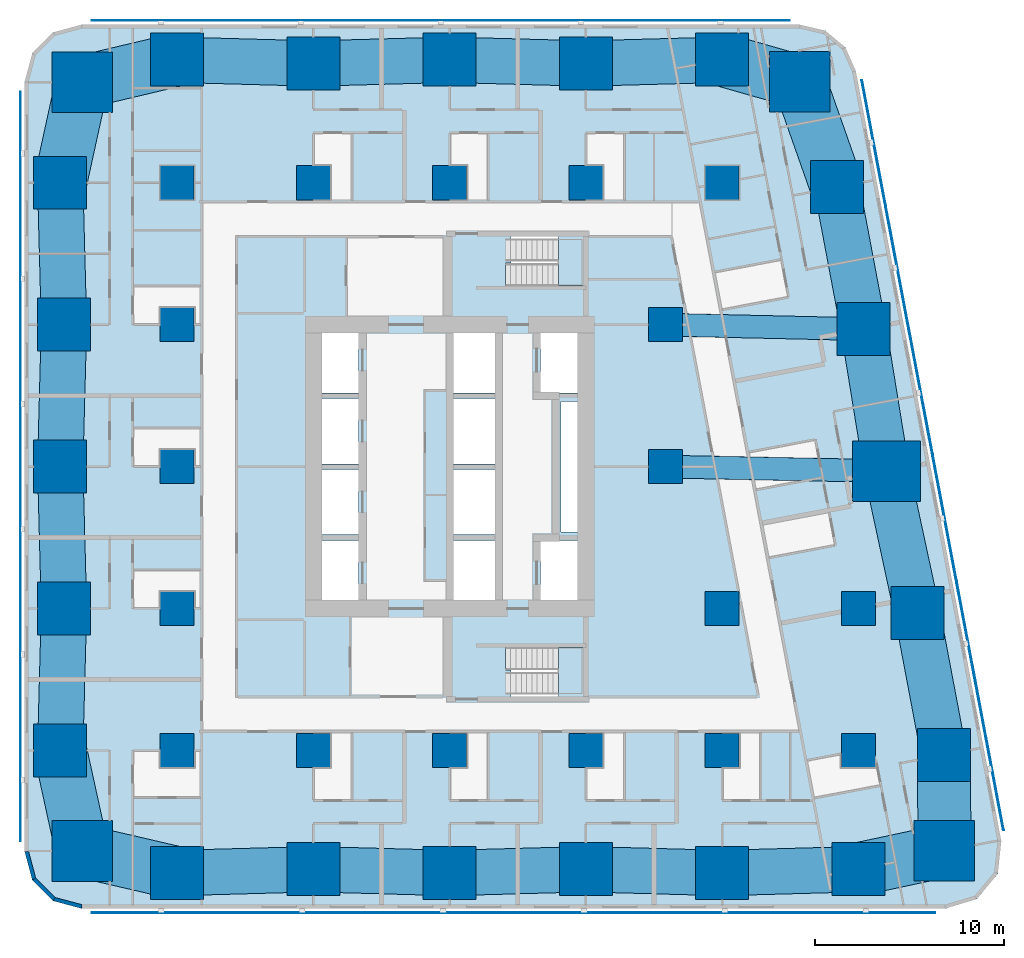
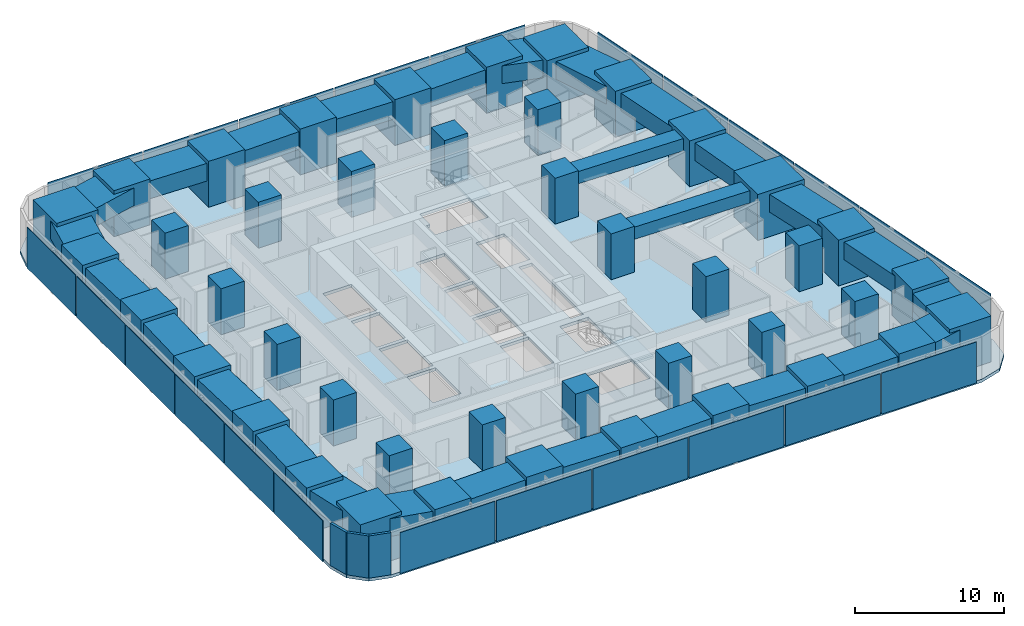
# One storey, part 1 of 15: 43 columns, 27 beams, 23 plates, 3 slabs, 3 walls, 2 elements without a shape of their own.
"""IFC4 building model written with IfcOpenShell, lengths in metres."""

from ifc_helpers import new_model, si_unit, direction, frame, frame_2d, origin, origin_2d, place, context, subcontext, project, spatial, polyline, rectangle, outline, extrude, material, layer, layer_set, material_profile, profile_set, type_object, element, aggregate, save


model = new_model("IFC4")

# Units and contexts
model_context = context("Model", 3, precision=1e-05, world=origin(), true_north=direction((0.0, 1.0)))
body_context = subcontext(model_context, "Body", "Model", "MODEL_VIEW")
ifc_project = project(units=[si_unit("LENGTHUNIT", "METRE"), si_unit("AREAUNIT", "SQUARE_METRE"), si_unit("VOLUMEUNIT", "CUBIC_METRE"), si_unit("PLANEANGLEUNIT", "RADIAN"), si_unit("MASSUNIT", "GRAM", prefix="KILO")], contexts=[model_context])

# Site, building, storey
site_placement = place(None, origin())
site = spatial("IfcSite", under=ifc_project, at=site_placement, CompositionType="ELEMENT")
building_placement = place(site_placement, origin())
building = spatial("IfcBuilding", under=site, at=building_placement, Name="Sheger Commons Tower", CompositionType="ELEMENT")
storey_placement = place(building_placement, frame((0.0, 0.0, 68.75)))
storey = spatial("IfcBuildingStorey", under=building, at=storey_placement, Name="L17", CompositionType="ELEMENT", Elevation=68.75)

# Columns
ifc_material_1 = material(Name="Concrete C50/60", Category="concrete")
ifc_material_profile_1 = material_profile(ifc_material_1, rectangle(XDim=3.60009765625, YDim=3.199951171875, at=origin_2d()), Name="RC 3600x3200")
ifc_profile_set_1 = profile_set([ifc_material_profile_1], Name="Concrete C50/60")
column_type_1 = type_object("IfcColumnType", Name="COLUMN PIER RC 3600x3200", PredefinedType="COLUMN", material=ifc_profile_set_1)
column_placement = place(storey_placement, frame((44.697021484375, 22.262939453125, 0.0), z_axis=(0.0, 0.0, 1.0), x_axis=(1.0, 0.0, 0.0)))
element("IfcColumn", 1, at=column_placement, inside=storey, type_object=column_type_1, Name="Pier 7/D+E/D L17", PredefinedType="COLUMN", context=body_context, shape_type="SweptSolid", body=[
    extrude(rectangle(XDim=3.60009765625, YDim=3.199951171875, at=origin_2d()), origin(), (0.0, 0.0, 1.0), 3.75),
])
ifc_material_2 = material(Name="Concrete C50/60", Category="concrete")
ifc_material_profile_2 = material_profile(ifc_material_2, rectangle(XDim=1.800048828125, YDim=1.800048828125, at=origin_2d()), Name="RC 1800x1800")
ifc_profile_set_2 = profile_set([ifc_material_profile_2], Name="Concrete C50/60")
column_type_2 = type_object("IfcColumnType", Name="COLUMN RC 1800x1800", PredefinedType="COLUMN", material=ifc_profile_set_2)
for number, where, z_axis, x_axis, name in (
    (2, (7.199951171875, 7.5, 0.0), (0.0, 0.0, 1.0), (1.0, 0.0, 0.0), "Column 2/B L17"),
    (3, (14.39990234375, 7.5, 0.0), (0.0, 0.0, 1.0), (1.0, 0.0, 0.0), "Column 3/B L17"),
    (4, (21.60009765625, 7.5, 0.0), (0.0, 0.0, 1.0), (1.0, 0.0, 0.0), "Column 4/B L17"),
    (5, (28.800048828125, 7.5, 0.0), (0.0, 0.0, 1.0), (1.0, 0.0, 0.0), "Column 5/B L17"),
    (6, (36.0, 7.5, 0.0), (0.0, 0.0, 1.0), (1.0, 0.0, 0.0), "Column 6/B L17"),
    (7, (43.199951171875, 7.5, 0.0), (0.0, 0.0, 1.0), (1.0, 0.0, 0.0), "Column 7/B L17"),
    (8, (7.199951171875, 15.0, 0.0), (0.0, 0.0, 1.0), (1.0, 0.0, 0.0), "Column 2/C L17"),
    (9, (36.0, 15.0, 0.0), (0.0, 0.0, 1.0), (1.0, 0.0, 0.0), "Column 6/C L17"),
    (10, (43.199951171875, 15.0, 0.0), (0.0, 0.0, 1.0), (1.0, 0.0, 0.0), "Column 7/C L17"),
    (11, (7.199951171875, 22.5, 0.0), (0.0, 0.0, 1.0), (1.0, 0.0, 0.0), "Column 2/D L17"),
    (12, (33.0, 22.5, 0.0), (0.0, 0.0, 1.0), (1.0, 0.0, 0.0), "Column 6-3000/D L17"),
    (13, (7.199951171875, 30.0, 0.0), (0.0, 0.0, 1.0), (1.0, 0.0, 0.0), "Column 2/E L17"),
    (14, (33.0, 30.0, 0.0), (0.0, 0.0, 1.0), (1.0, 0.0, 0.0), "Column 6-3000/E L17"),
    (15, (7.199951171875, 37.5, 0.0), (0.0, 0.0, 1.0), (1.0, 0.0, 0.0), "Column 2/F L17"),
    (16, (14.39990234375, 37.5, 0.0), (0.0, 0.0, 1.0), (1.0, 0.0, 0.0), "Column 3/F L17"),
    (17, (21.60009765625, 37.5, 0.0), (0.0, 0.0, 1.0), (1.0, 0.0, 0.0), "Column 4/F L17"),
    (18, (28.800048828125, 37.5, 0.0), (0.0, 0.0, 1.0), (1.0, 0.0, 0.0), "Column 5/F L17"),
    (19, (36.0, 37.5, 0.0), (0.0, 0.0, 1.0), (1.0, 0.0, 0.0), "Column 6/F L17"),
):
    element("IfcColumn", number, at=place(storey_placement, frame(where, z_axis=z_axis, x_axis=x_axis)), inside=storey, type_object=column_type_2, Name=name, PredefinedType="COLUMN", context=body_context, shape_type="SweptSolid", body=[
        extrude(rectangle(XDim=1.800048828125, YDim=1.800048828125, at=origin_2d()), origin(), (0.0, 0.0, 1.0), 3.75),
    ])
ifc_material_3 = material(Name="Concrete C50/60", Category="concrete")
ifc_material_profile_3 = material_profile(ifc_material_3, rectangle(XDim=2.800048828125, YDim=2.800048828125, at=origin_2d()), Name="RC 2800x2800")
ifc_profile_set_3 = profile_set([ifc_material_profile_3], Name="Concrete C50/60")
column_type_3 = type_object("IfcColumnType", Name="COLUMN RC 2800x2800", PredefinedType="COLUMN", material=ifc_profile_set_3)
for number, where, z_axis, x_axis, name in (
    (20, (7.199951171875, 1.02490234375, 0.0), (0.0, 0.0, 1.0), (1.0, 0.0, 0.0), "Column 2/A L17"),
    (21, (14.39990234375, 1.22509765625, 0.0), (0.0, 0.0, 1.0), (1.0, 0.0, 0.0), "Column 3/A L17"),
    (22, (21.60009765625, 1.02490234375, 0.0), (0.0, 0.0, 1.0), (1.0, 0.0, 0.0), "Column 4/A L17"),
    (23, (28.800048828125, 1.22509765625, 0.0), (0.0, 0.0, 1.0), (1.0, 0.0, 0.0), "Column 5/A L17"),
    (24, (36.0, 1.02490234375, 0.0), (0.0, 0.0, 1.0), (1.0, 0.0, 0.0), "Column 6/A L17"),
    (25, (43.199951171875, 1.22509765625, 0.0), (0.0, 0.0, 1.0), (1.0, 0.0, 0.0), "Column 7/A L17"),
    (26, (1.02490234375, 7.5, 0.0), (0.0, 0.0, 1.0), (1.0, 0.0, 0.0), "Column 1/B L17"),
    (27, (47.72998046875, 7.262939453125, 0.0), (0.0, 0.0, 1.0), (1.0, 0.0, 0.0), "Column E/B L17"),
    (28, (1.22509765625, 15.0, 0.0), (0.0, 0.0, 1.0), (1.0, 0.0, 0.0), "Column 1/C L17"),
    (29, (46.31396484375, 14.762939453125, 0.0), (0.0, 0.0, 1.0), (1.0, 0.0, 0.0), "Column E/C L17"),
    (30, (1.02490234375, 22.5, 0.0), (0.0, 0.0, 1.0), (1.0, 0.0, 0.0), "Column 1/D L17"),
    (31, (1.22509765625, 30.0, 0.0), (0.0, 0.0, 1.0), (1.0, 0.0, 0.0), "Column 1/E L17"),
    (32, (43.47998046875, 29.762939453125, 0.0), (0.0, 0.0, 1.0), (1.0, 0.0, 0.0), "Column E/E L17"),
    (33, (1.02490234375, 37.5, 0.0), (0.0, 0.0, 1.0), (1.0, 0.0, 0.0), "Column 1/F L17"),
    (34, (42.06396484375, 37.262939453125, 0.0), (0.0, 0.0, 1.0), (1.0, 0.0, 0.0), "Column E/F L17"),
    (35, (7.199951171875, 44.0, 0.0), (0.0, 0.0, 1.0), (1.0, 0.0, 0.0), "Column 2/G L17"),
    (36, (14.39990234375, 43.800048828125, 0.0), (0.0, 0.0, 1.0), (1.0, 0.0, 0.0), "Column 3/G L17"),
    (37, (21.60009765625, 44.0, 0.0), (0.0, 0.0, 1.0), (1.0, 0.0, 0.0), "Column 4/G L17"),
    (38, (28.800048828125, 43.800048828125, 0.0), (0.0, 0.0, 1.0), (1.0, 0.0, 0.0), "Column 5/G L17"),
    (39, (36.0, 44.0, 0.0), (0.0, 0.0, 1.0), (1.0, 0.0, 0.0), "Column 6/G L17"),
):
    element("IfcColumn", number, at=place(storey_placement, frame(where, z_axis=z_axis, x_axis=x_axis)), inside=storey, type_object=column_type_3, Name=name, PredefinedType="COLUMN", context=body_context, shape_type="SweptSolid", body=[
        extrude(rectangle(XDim=2.800048828125, YDim=2.800048828125, at=origin_2d()), origin(), (0.0, 0.0, 1.0), 3.75),
    ])
ifc_material_4 = material(Name="Concrete C50/60", Category="concrete")
ifc_material_profile_4 = material_profile(ifc_material_4, rectangle(XDim=3.199951171875, YDim=3.199951171875, at=origin_2d()), Name="RC 3200x3200")
ifc_profile_set_4 = profile_set([ifc_material_profile_4], Name="Concrete C50/60")
column_type_4 = type_object("IfcColumnType", Name="COLUMN RC 3200x3200", PredefinedType="COLUMN", material=ifc_profile_set_4)
for number, where, z_axis, x_axis, name in (
    (40, (2.18603515625, 2.18603515625, 0.0), (0.0, 0.0, 1.0), (1.0, 0.0, 0.0), "Column 0.630,0.630 L17"),
    (41, (47.748046875, 2.197021484375, 0.0), (0.0, 0.0, 1.0), (1.0, 0.0, 0.0), "Column 49.461,0.778 L17"),
    (42, (2.18603515625, 42.81396484375, 0.0), (0.0, 0.0, 1.0), (1.0, 0.0, 0.0), "Column 0.630,44.370 L17"),
    (43, (40.10205078125, 42.830078125, 0.0), (0.0, 0.0, 1.0), (1.0, 0.0, 0.0), "Column 41.490,44.505 L17"),
):
    element("IfcColumn", number, at=place(storey_placement, frame(where, z_axis=z_axis, x_axis=x_axis)), inside=storey, type_object=column_type_4, Name=name, PredefinedType="COLUMN", context=body_context, shape_type="SweptSolid", body=[
        extrude(rectangle(XDim=3.199951171875, YDim=3.199951171875, at=origin_2d()), origin(), (0.0, 0.0, 1.0), 3.75),
    ])

# Beams
ifc_material_5 = material(Name="Concrete C50/60", Category="concrete")
ifc_material_profile_5 = material_profile(ifc_material_5, rectangle(XDim=1.199951171875, YDim=1.0, at=origin_2d()), Name="RC 1200x1000")
ifc_profile_set_5 = profile_set([ifc_material_profile_5], Name="Concrete C50/60")
beam_type_1 = type_object("IfcBeamType", Name="BEAM RC 1200x1000", PredefinedType="BEAM", material=ifc_profile_set_5)
beam_1_placement = place(storey_placement, frame((33.0, 22.5, 2.949951171875), z_axis=(0.999794692776, -0.02026258368, 0.0), x_axis=(0.02026258368, 0.999794692776, 0.0)))
element("IfcBeam", 44, at=beam_1_placement, inside=storey, type_object=beam_type_1, Name="Beam 6-3000/D-7/D under L18", PredefinedType="BEAM", context=body_context, shape_type="SweptSolid", body=[
    extrude(rectangle(XDim=1.199951171875, YDim=1.0, at=origin_2d()), origin(), (0.0, 0.0, 1.0), 11.699462890625),
])
beam_2_placement = place(storey_placement, frame((33.0, 30.0, 2.949951171875), z_axis=(0.999744258625, -0.022614538395, 0.0), x_axis=(0.022614538395, 0.999744258625, 0.0)))
element("IfcBeam", 45, at=beam_2_placement, inside=storey, type_object=beam_type_1, Name="Beam 6-3000/E-E/E under L18", PredefinedType="BEAM", context=body_context, shape_type="SweptSolid", body=[
    extrude(rectangle(XDim=1.199951171875, YDim=1.0, at=origin_2d()), origin(), (0.0, 0.0, 1.0), 10.482666015625),
])
ifc_material_6 = material(Name="Concrete C50/60", Category="concrete")
ifc_material_profile_6 = material_profile(ifc_material_6, rectangle(XDim=2.39990234375, YDim=1.449951171875, at=origin_2d()), Name="RC 2400x1450")
ifc_profile_set_6 = profile_set([ifc_material_profile_6], Name="Concrete C50/60")
beam_type_2 = type_object("IfcBeamType", Name="SPANDREL RC 2400x1450", PredefinedType="SPANDREL", material=ifc_profile_set_6)
beam_3_placement = place(storey_placement, frame((7.199951171875, 1.02490234375, 2.72509765625), z_axis=(0.9996136624, 0.027794350926, 0.0), x_axis=(-0.027794350926, 0.9996136624, 0.0)))
element("IfcBeam", 46, at=beam_3_placement, inside=storey, type_object=beam_type_2, Name="Beam 2/A-3/A under L18", PredefinedType="SPANDREL", context=body_context, shape_type="SweptSolid", body=[
    extrude(rectangle(XDim=2.39990234375, YDim=1.449951171875, at=origin_2d()), origin(), (0.0, 0.0, 1.0), 7.20263671875),
])
beam_4_placement = place(storey_placement, frame((14.39990234375, 1.22509765625, 2.72509765625), z_axis=(0.999613688584, -0.027793409217, 0.0), x_axis=(0.027793409217, 0.999613688584, 0.0)))
element("IfcBeam", 47, at=beam_4_placement, inside=storey, type_object=beam_type_2, Name="Beam 3/A-4/A under L18", PredefinedType="SPANDREL", context=body_context, shape_type="SweptSolid", body=[
    extrude(rectangle(XDim=2.39990234375, YDim=1.449951171875, at=origin_2d()), origin(), (0.0, 0.0, 1.0), 7.202880859375),
])
for number, where, z_axis, x_axis, name in (
    (48, (21.60009765625, 1.02490234375, 2.72509765625), (0.9996136624, 0.027794350926, 0.0), (-0.027794350926, 0.9996136624, 0.0), "Beam 4/A-5/A under L18"),
    (49, (28.800048828125, 1.22509765625, 2.72509765625), (0.9996136624, -0.027794350926, 0.0), (0.027794350926, 0.9996136624, 0.0), "Beam 5/A-6/A under L18"),
    (50, (36.0, 1.02490234375, 2.72509765625), (0.9996136624, 0.027794350926, 0.0), (-0.027794350926, 0.9996136624, 0.0), "Beam 6/A-7/A under L18"),
):
    element("IfcBeam", number, at=place(storey_placement, frame(where, z_axis=z_axis, x_axis=x_axis)), inside=storey, type_object=beam_type_2, Name=name, PredefinedType="SPANDREL", context=body_context, shape_type="SweptSolid", body=[
        extrude(rectangle(XDim=2.39990234375, YDim=1.449951171875, at=origin_2d()), origin(), (0.0, 0.0, 1.0), 7.20263671875),
    ])
beam_5_placement = place(storey_placement, frame((47.72998046875, 7.262939453125, 2.72509765625), z_axis=(-0.18552441405, 0.982639655108, 0.0), x_axis=(-0.982639655108, -0.18552441405, 0.0)))
element("IfcBeam", 51, at=beam_5_placement, inside=storey, type_object=beam_type_2, Name="Beam E/B-E/C under L18", PredefinedType="SPANDREL", context=body_context, shape_type="SweptSolid", body=[
    extrude(rectangle(XDim=2.39990234375, YDim=1.449951171875, at=origin_2d()), origin(), (0.0, 0.0, 1.0), 7.632568359375),
])
beam_6_placement = place(storey_placement, frame((46.31396484375, 14.762939453125, 2.72509765625), z_axis=(-0.210750229323, 0.977539943348, 0.0), x_axis=(-0.977539943348, -0.210750229323, 0.0)))
element("IfcBeam", 52, at=beam_6_placement, inside=storey, type_object=beam_type_2, Name="Beam E/C-E/D under L18", PredefinedType="SPANDREL", context=body_context, shape_type="SweptSolid", body=[
    extrude(rectangle(XDim=2.39990234375, YDim=1.449951171875, at=origin_2d()), origin(), (0.0, 0.0, 1.0), 7.67236328125),
])
beam_7_placement = place(storey_placement, frame((44.697021484375, 22.262939453125, 2.72509765625), z_axis=(-0.160176929512, 0.987088319884, 0.0), x_axis=(-0.987088319884, -0.160176929512, 0.0)))
element("IfcBeam", 53, at=beam_7_placement, inside=storey, type_object=beam_type_2, Name="Beam E/D-E/E under L18", PredefinedType="SPANDREL", context=body_context, shape_type="SweptSolid", body=[
    extrude(rectangle(XDim=2.39990234375, YDim=1.449951171875, at=origin_2d()), origin(), (0.0, 0.0, 1.0), 7.59814453125),
])
beam_8_placement = place(storey_placement, frame((43.47998046875, 29.762939453125, 2.72509765625), z_axis=(-0.18552441405, 0.982639655108, 0.0), x_axis=(-0.982639655108, -0.18552441405, 0.0)))
element("IfcBeam", 54, at=beam_8_placement, inside=storey, type_object=beam_type_2, Name="Beam E/E-E/F under L18", PredefinedType="SPANDREL", context=body_context, shape_type="SweptSolid", body=[
    extrude(rectangle(XDim=2.39990234375, YDim=1.449951171875, at=origin_2d()), origin(), (0.0, 0.0, 1.0), 7.632568359375),
])
for number, where, z_axis, x_axis, name in (
    (55, (36.0, 44.0, 2.72509765625), (-0.999614603568, -0.027760481514, 0.0), (0.027760481514, -0.999614603568, 0.0), "Beam 6/G-5/G under L18"),
    (56, (28.800048828125, 43.800048828125, 2.72509765625), (-0.999614603568, 0.027760481514, 0.0), (-0.027760481514, -0.999614603568, 0.0), "Beam 5/G-4/G under L18"),
):
    element("IfcBeam", number, at=place(storey_placement, frame(where, z_axis=z_axis, x_axis=x_axis)), inside=storey, type_object=beam_type_2, Name=name, PredefinedType="SPANDREL", context=body_context, shape_type="SweptSolid", body=[
        extrude(rectangle(XDim=2.39990234375, YDim=1.449951171875, at=origin_2d()), origin(), (0.0, 0.0, 1.0), 7.20263671875),
    ])
beam_9_placement = place(storey_placement, frame((21.60009765625, 44.0, 2.72509765625), z_axis=(-0.999614629688, -0.027759540951, 0.0), x_axis=(0.027759540951, -0.999614629688, 0.0)))
element("IfcBeam", 57, at=beam_9_placement, inside=storey, type_object=beam_type_2, Name="Beam 4/G-3/G under L18", PredefinedType="SPANDREL", context=body_context, shape_type="SweptSolid", body=[
    extrude(rectangle(XDim=2.39990234375, YDim=1.449951171875, at=origin_2d()), origin(), (0.0, 0.0, 1.0), 7.202880859375),
])
beam_10_placement = place(storey_placement, frame((14.39990234375, 43.800048828125, 2.72509765625), z_axis=(-0.999614603568, 0.027760481514, 0.0), x_axis=(-0.027760481514, -0.999614603568, 0.0)))
element("IfcBeam", 58, at=beam_10_placement, inside=storey, type_object=beam_type_2, Name="Beam 3/G-2/G under L18", PredefinedType="SPANDREL", context=body_context, shape_type="SweptSolid", body=[
    extrude(rectangle(XDim=2.39990234375, YDim=1.449951171875, at=origin_2d()), origin(), (0.0, 0.0, 1.0), 7.20263671875),
])
for number, where, z_axis, x_axis, name in (
    (59, (1.02490234375, 37.5, 2.72509765625), (0.026683204125, -0.999643939919, 0.0), (0.999643939919, 0.026683204125, 0.0), "Beam 1/F-1/E under L18"),
    (60, (1.22509765625, 30.0, 2.72509765625), (-0.026683204125, -0.999643939919, 0.0), (0.999643939919, -0.026683204125, 0.0), "Beam 1/E-1/D under L18"),
    (61, (1.02490234375, 22.5, 2.72509765625), (0.026683204125, -0.999643939919, 0.0), (0.999643939919, 0.026683204125, 0.0), "Beam 1/D-1/C under L18"),
    (62, (1.22509765625, 15.0, 2.72509765625), (-0.026683204125, -0.999643939919, 0.0), (0.999643939919, -0.026683204125, 0.0), "Beam 1/C-1/B under L18"),
):
    element("IfcBeam", number, at=place(storey_placement, frame(where, z_axis=z_axis, x_axis=x_axis)), inside=storey, type_object=beam_type_2, Name=name, PredefinedType="SPANDREL", context=body_context, shape_type="SweptSolid", body=[
        extrude(rectangle(XDim=2.39990234375, YDim=1.449951171875, at=origin_2d()), origin(), (0.0, 0.0, 1.0), 7.502685546875),
    ])
ifc_material_7 = material(Name="Concrete C50/60", Category="concrete")
ifc_material_profile_7 = material_profile(ifc_material_7, rectangle(XDim=2.800048828125, YDim=1.449951171875, at=origin_2d()), Name="RC 2800x1450")
ifc_profile_set_7 = profile_set([ifc_material_profile_7], Name="Concrete C50/60")
beam_type_3 = type_object("IfcBeamType", Name="SPANDREL RC 2800x1450", PredefinedType="SPANDREL", material=ifc_profile_set_7)
beam_11_placement = place(storey_placement, frame((2.18603515625, 2.18603515625, 2.72509765625), z_axis=(0.974217413499, -0.225611239159, 0.0), x_axis=(0.225611239159, 0.974217413499, 0.0)))
element("IfcBeam", 63, at=beam_11_placement, inside=storey, type_object=beam_type_3, Name="Beam 0.630,0.630-2/A under L18", PredefinedType="SPANDREL", context=body_context, shape_type="SweptSolid", body=[
    extrude(rectangle(XDim=2.800048828125, YDim=1.449951171875, at=origin_2d()), origin(), (0.0, 0.0, 1.0), 5.146728515625),
])
beam_12_placement = place(storey_placement, frame((43.199951171875, 1.22509765625, 2.72509765625), z_axis=(0.977919796671, 0.208980552394, 0.0), x_axis=(-0.208980552394, 0.977919796671, 0.0)))
element("IfcBeam", 64, at=beam_12_placement, inside=storey, type_object=beam_type_3, Name="Beam 7/A-49.461,0.778 under L18", PredefinedType="SPANDREL", context=body_context, shape_type="SweptSolid", body=[
    extrude(rectangle(XDim=2.800048828125, YDim=1.449951171875, at=origin_2d()), origin(), (0.0, 0.0, 1.0), 4.65087890625),
])
beam_13_placement = place(storey_placement, frame((47.748046875, 2.197021484375, 2.72509765625), z_axis=(-0.003566242382, 0.999993640937, 0.0), x_axis=(-0.999993640937, -0.003566242382, 0.0)))
element("IfcBeam", 65, at=beam_13_placement, inside=storey, type_object=beam_type_3, Name="Beam 49.461,0.778-E/B under L18", PredefinedType="SPANDREL", context=body_context, shape_type="SweptSolid", body=[
    extrude(rectangle(XDim=2.800048828125, YDim=1.449951171875, at=origin_2d()), origin(), (0.0, 0.0, 1.0), 5.06591796875),
])
beam_14_placement = place(storey_placement, frame((42.06396484375, 37.262939453125, 2.72509765625), z_axis=(-0.332374403357, 0.943147526102, 0.0), x_axis=(-0.943147526102, -0.332374403357, 0.0)))
element("IfcBeam", 66, at=beam_14_placement, inside=storey, type_object=beam_type_3, Name="Beam E/F-41.490,44.505 under L18", PredefinedType="SPANDREL", context=body_context, shape_type="SweptSolid", body=[
    extrude(rectangle(XDim=2.800048828125, YDim=1.449951171875, at=origin_2d()), origin(), (0.0, 0.0, 1.0), 5.90283203125),
])
beam_15_placement = place(storey_placement, frame((40.10205078125, 42.830078125, 2.72509765625), z_axis=(-0.961653428129, 0.274267541221, 0.0), x_axis=(-0.274267541221, -0.961653428129, 0.0)))
element("IfcBeam", 67, at=beam_15_placement, inside=storey, type_object=beam_type_3, Name="Beam 41.490,44.505-6/G under L18", PredefinedType="SPANDREL", context=body_context, shape_type="SweptSolid", body=[
    extrude(rectangle(XDim=2.800048828125, YDim=1.449951171875, at=origin_2d()), origin(), (0.0, 0.0, 1.0), 4.265625),
])
beam_16_placement = place(storey_placement, frame((7.199951171875, 44.0, 2.72509765625), z_axis=(-0.97314428949, -0.230195985701, 0.0), x_axis=(0.230195985701, -0.97314428949, 0.0)))
element("IfcBeam", 68, at=beam_16_placement, inside=storey, type_object=beam_type_3, Name="Beam 2/G-0.630,44.370 under L18", PredefinedType="SPANDREL", context=body_context, shape_type="SweptSolid", body=[
    extrude(rectangle(XDim=2.800048828125, YDim=1.449951171875, at=origin_2d()), origin(), (0.0, 0.0, 1.0), 5.15234375),
])
for number, where, z_axis, x_axis, name in (
    (69, (2.18603515625, 42.81396484375, 2.72509765625), (-0.213469314652, -0.976949769283, 0.0), (0.976949769283, -0.213469314652, 0.0), "Beam 0.630,44.370-1/F under L18"),
    (70, (1.02490234375, 7.5, 2.72509765625), (0.213469314652, -0.976949769283, 0.0), (0.976949769283, 0.213469314652, 0.0), "Beam 1/B-0.630,0.630 under L18"),
):
    element("IfcBeam", number, at=place(storey_placement, frame(where, z_axis=z_axis, x_axis=x_axis)), inside=storey, type_object=beam_type_3, Name=name, PredefinedType="SPANDREL", context=body_context, shape_type="SweptSolid", body=[
        extrude(rectangle(XDim=2.800048828125, YDim=1.449951171875, at=origin_2d()), origin(), (0.0, 0.0, 1.0), 5.439453125),
    ])

# Slab
ifc_material_8 = material(Name="Concrete C35/45", Category="concrete")
ifc_layer_1 = layer(ifc_material_8, 0.25)
ifc_layer_set_1 = layer_set([ifc_layer_1], Name="SLAB FLOOR 250")
slab_type_1 = type_object("IfcSlabType", Name="SLAB FLOOR 250", PredefinedType="FLOOR", material=ifc_layer_set_1)
slab_1_placement = place(storey_placement, frame((0.0, 0.0, -0.25)))
element("IfcSlab", 71, at=slab_1_placement, inside=storey, type_object=slab_type_1, Name="L17 floor slab", PredefinedType="FLOOR", context=body_context, shape_type="SweptSolid", body=[
    extrude(outline(polyline([(-0.85009765625, 2.14990234375), (-0.447998046875, 0.64990234375), (0.64990234375, -0.447998046875), (2.14990234375, -0.85009765625), (47.805908203125, -0.85009765625), (49.465087890625, -0.35009765625), (50.570068359375, 0.98388671875), (50.75390625, 2.70703125), (43.06591796875, 43.406982421875), (42.509033203125, 44.660888671875), (41.452880859375, 45.535888671875), (40.117919921875, 45.85009765625), (2.14990234375, 45.85009765625), (0.64990234375, 45.447998046875), (-0.447998046875, 44.35009765625), (-0.85009765625, 42.85009765625), (-0.85009765625, 2.14990234375)]), holes=[polyline([(24.85009765625, 10.35009765625), (28.64990234375, 10.35009765625), (28.64990234375, 12.949951171875), (24.551025390625, 12.949951171875), (24.551025390625, 11.75), (24.85009765625, 11.75), (24.85009765625, 10.35009765625)]), polyline([(24.551025390625, 32.050048828125), (28.64990234375, 32.050048828125), (28.64990234375, 34.64990234375), (24.85009765625, 34.64990234375), (24.85009765625, 33.25), (24.551025390625, 33.25), (24.551025390625, 32.050048828125)]), polyline([(26.39990234375, 15.14990234375), (28.60009765625, 15.14990234375), (28.60009765625, 18.60009765625), (26.39990234375, 18.60009765625), (26.39990234375, 15.14990234375)]), polyline([(26.39990234375, 26.39990234375), (28.60009765625, 26.39990234375), (28.60009765625, 29.85009765625), (26.39990234375, 29.85009765625), (26.39990234375, 26.39990234375)]), polyline([(14.60009765625, 15.14990234375), (16.800048828125, 15.14990234375), (16.800048828125, 18.60009765625), (14.60009765625, 18.60009765625), (14.60009765625, 15.14990234375)]), polyline([(14.60009765625, 18.89990234375), (16.800048828125, 18.89990234375), (16.800048828125, 22.35009765625), (14.60009765625, 22.35009765625), (14.60009765625, 18.89990234375)]), polyline([(14.60009765625, 22.64990234375), (16.800048828125, 22.64990234375), (16.800048828125, 26.10009765625), (14.60009765625, 26.10009765625), (14.60009765625, 22.64990234375)]), polyline([(14.60009765625, 26.39990234375), (16.800048828125, 26.39990234375), (16.800048828125, 29.85009765625), (14.60009765625, 29.85009765625), (14.60009765625, 26.39990234375)]), polyline([(21.800048828125, 15.14990234375), (24.0, 15.14990234375), (24.0, 18.60009765625), (21.800048828125, 18.60009765625), (21.800048828125, 15.14990234375)]), polyline([(21.800048828125, 18.89990234375), (24.0, 18.89990234375), (24.0, 22.35009765625), (21.800048828125, 22.35009765625), (21.800048828125, 18.89990234375)]), polyline([(21.800048828125, 22.64990234375), (24.0, 22.64990234375), (24.0, 26.10009765625), (21.800048828125, 26.10009765625), (21.800048828125, 22.64990234375)]), polyline([(21.800048828125, 26.39990234375), (24.0, 26.39990234375), (24.0, 29.85009765625), (21.800048828125, 29.85009765625), (21.800048828125, 26.39990234375)]), polyline([(27.5, 19.050048828125), (28.5, 19.050048828125), (28.5, 25.949951171875), (27.5, 25.949951171875), (27.5, 19.050048828125)])]), origin(), (0.0, 0.0, 1.0), 0.25),
])

# Plates
ifc_material_9 = material(Name="Perforated black anodised aluminium screen", Category="aluminium")
ifc_layer_2 = layer(ifc_material_9, 0.050048828125)
ifc_layer_set_2 = layer_set([ifc_layer_2], Name="SOLAR SCREEN SCREEN-1")
plate_type = type_object("IfcPlateType", Name="SOLAR SCREEN SCREEN-1", PredefinedType="USERDEFINED", material=ifc_layer_set_2)
for number, where, z_axis, x_axis, name in (
    (72, (6.37109375, -1.074951171875, 0.050048828125), (0.0, 0.0, 1.0), (1.0, 0.0, 0.0), "Perforated solar screen panel"),
    (73, (13.81396484375, -1.074951171875, 0.050048828125), (0.0, 0.0, 1.0), (1.0, 0.0, 0.0), "Perforated solar screen panel"),
    (74, (21.257080078125, -1.074951171875, 0.050048828125), (0.0, 0.0, 1.0), (1.0, 0.0, 0.0), "Perforated solar screen panel"),
    (75, (28.698974609375, -1.074951171875, 0.050048828125), (0.0, 0.0, 1.0), (1.0, 0.0, 0.0), "Perforated solar screen panel"),
    (76, (36.14208984375, -1.074951171875, 0.050048828125), (0.0, 0.0, 1.0), (1.0, 0.0, 0.0), "Perforated solar screen panel"),
    (77, (43.5849609375, -1.074951171875, 0.050048828125), (0.0, 0.0, 1.0), (1.0, 0.0, 0.0), "Perforated solar screen panel"),
):
    element("IfcPlate", number, at=place(storey_placement, frame(where, z_axis=z_axis, x_axis=x_axis)), inside=storey, type_object=plate_type, Name=name, ObjectType="SCREEN", PredefinedType="USERDEFINED", context=body_context, shape_type="SweptSolid", body=[
        extrude(rectangle(XDim=7.343017578125, YDim=0.050048828125, at=origin_2d()), origin(), (0.0, 0.0, 1.0), 3.35009765625),
    ])
for number, where, z_axis, x_axis, name in (
    (78, (50.257080078125, 6.550048828125, 0.050048828125), (0.0, 0.0, 1.0), (-0.185615165645, 0.982622516678, 0.0), "Perforated solar screen panel"),
    (79, (49.007080078125, 13.1689453125, 0.050048828125), (0.0, 0.0, 1.0), (-0.185615165645, 0.982622516678, 0.0), "Perforated solar screen panel"),
    (80, (47.756103515625, 19.7890625, 0.050048828125), (0.0, 0.0, 1.0), (-0.185615165645, 0.982622516678, 0.0), "Perforated solar screen panel"),
    (81, (46.506103515625, 26.408935546875, 0.050048828125), (0.0, 0.0, 1.0), (-0.185615165645, 0.982622516678, 0.0), "Perforated solar screen panel"),
    (82, (45.2548828125, 33.028076171875, 0.050048828125), (0.0, 0.0, 1.0), (-0.185615165645, 0.982622516678, 0.0), "Perforated solar screen panel"),
    (83, (44.0048828125, 39.64794921875, 0.050048828125), (0.0, 0.0, 1.0), (-0.185615165645, 0.982622516678, 0.0), "Perforated solar screen panel"),
):
    element("IfcPlate", number, at=place(storey_placement, frame(where, z_axis=z_axis, x_axis=x_axis)), inside=storey, type_object=plate_type, Name=name, ObjectType="SCREEN", PredefinedType="USERDEFINED", context=body_context, shape_type="SweptSolid", body=[
        extrude(rectangle(XDim=6.636962890625, YDim=0.050048828125, at=origin_2d()), origin(), (0.0, 0.0, 1.0), 3.35009765625),
    ])
for number, where, z_axis, x_axis, name in (
    (84, (35.9208984375, 46.074951171875, 0.050048828125), (0.0, 0.0, 1.0), (-1.0, 0.0, 0.0), "Perforated solar screen panel"),
    (85, (28.528076171875, 46.074951171875, 0.050048828125), (0.0, 0.0, 1.0), (-1.0, 0.0, 0.0), "Perforated solar screen panel"),
    (86, (21.134033203125, 46.074951171875, 0.050048828125), (0.0, 0.0, 1.0), (-1.0, 0.0, 0.0), "Perforated solar screen panel"),
    (87, (13.739990234375, 46.074951171875, 0.050048828125), (0.0, 0.0, 1.0), (-1.0, 0.0, 0.0), "Perforated solar screen panel"),
    (88, (6.346923828125, 46.074951171875, 0.050048828125), (0.0, 0.0, 1.0), (-1.0, 0.0, 0.0), "Perforated solar screen panel"),
):
    element("IfcPlate", number, at=place(storey_placement, frame(where, z_axis=z_axis, x_axis=x_axis)), inside=storey, type_object=plate_type, Name=name, ObjectType="SCREEN", PredefinedType="USERDEFINED", context=body_context, shape_type="SweptSolid", body=[
        extrude(rectangle(XDim=7.2939453125, YDim=0.050048828125, at=origin_2d()), origin(), (0.0, 0.0, 1.0), 3.35009765625),
    ])
for number, where, z_axis, x_axis, name in (
    (89, (-1.074951171875, 39.0419921875, 0.050048828125), (0.0, 0.0, 1.0), (0.0, -1.0, 0.0), "Perforated solar screen panel"),
    (90, (-1.074951171875, 32.425048828125, 0.050048828125), (0.0, 0.0, 1.0), (0.0, -1.0, 0.0), "Perforated solar screen panel"),
    (91, (-1.074951171875, 25.80810546875, 0.050048828125), (0.0, 0.0, 1.0), (0.0, -1.0, 0.0), "Perforated solar screen panel"),
    (92, (-1.074951171875, 19.19189453125, 0.050048828125), (0.0, 0.0, 1.0), (0.0, -1.0, 0.0), "Perforated solar screen panel"),
    (93, (-1.074951171875, 12.574951171875, 0.050048828125), (0.0, 0.0, 1.0), (0.0, -1.0, 0.0), "Perforated solar screen panel"),
    (94, (-1.074951171875, 5.9580078125, 0.050048828125), (0.0, 0.0, 1.0), (0.0, -1.0, 0.0), "Perforated solar screen panel"),
):
    element("IfcPlate", number, at=place(storey_placement, frame(where, z_axis=z_axis, x_axis=x_axis)), inside=storey, type_object=plate_type, Name=name, ObjectType="SCREEN", PredefinedType="USERDEFINED", context=body_context, shape_type="SweptSolid", body=[
        extrude(rectangle(XDim=6.51708984375, YDim=0.050048828125, at=origin_2d()), origin(), (0.0, 0.0, 1.0), 3.35009765625),
    ])

# Stair, slab
ifc_material_10 = material(Name="Concrete C35/45", Category="concrete")
stair_type = type_object("IfcStairType", Name="HALF-TURN STAIR 1200 RISE 3750", PredefinedType="HALF_TURN_STAIR", material=ifc_material_10)
stair_1_placement = place(storey_placement, origin())
stair_1 = element("IfcStair", 95, at=stair_1_placement, inside=storey, type_object=stair_type, Name="Stair S1 L17", PredefinedType="HALF_TURN_STAIR")
ifc_material_11 = material(Name="Concrete C35/45", Category="concrete")
ifc_layer_3 = layer(ifc_material_11, 0.199951171875)
ifc_layer_set_3 = layer_set([ifc_layer_3], Name="STAIR LANDING 200")
slab_type_2 = type_object("IfcSlabType", Name="STAIR LANDING 200", PredefinedType="LANDING", material=ifc_layer_set_3)
slab_2_placement = place(storey_placement, frame((0.0, 0.0, 1.675048828125)))
slab_2 = element("IfcSlab", 96, at=slab_2_placement, type_object=slab_type_2, Name="S1 landing 1", PredefinedType="LANDING", context=body_context, shape_type="SweptSolid", body=[
    extrude(outline(polyline([(27.35009765625, 10.199951171875), (28.800048828125, 10.199951171875), (28.800048828125, 12.949951171875), (27.35009765625, 12.949951171875), (27.35009765625, 10.199951171875)])), origin(), (0.0, 0.0, 1.0), 0.199951171875),
])
aggregate(stair_1, [slab_2])

stair_2_placement = place(storey_placement, origin())
stair_2 = element("IfcStair", 97, at=stair_2_placement, inside=storey, type_object=stair_type, Name="Stair S2 L17", PredefinedType="HALF_TURN_STAIR")
slab_3_placement = place(storey_placement, frame((0.0, 0.0, 1.675048828125)))
slab_3 = element("IfcSlab", 98, at=slab_3_placement, type_object=slab_type_2, Name="S2 landing 1", PredefinedType="LANDING", context=body_context, shape_type="SweptSolid", body=[
    extrude(outline(polyline([(27.35009765625, 32.050048828125), (28.800048828125, 32.050048828125), (28.800048828125, 34.800048828125), (27.35009765625, 34.800048828125), (27.35009765625, 32.050048828125)])), origin(), (0.0, 0.0, 1.0), 0.199951171875),
])
aggregate(stair_2, [slab_3])

# Walls
ifc_material_12 = material(Name="Rendered concrete block masonry, dark grey", Category="masonry")
ifc_layer_4 = layer(ifc_material_12, 0.199951171875)
ifc_layer_set_4 = layer_set([ifc_layer_4], Name="FACADE WALL 200")
wall_type = type_object("IfcWallType", Name="FACADE WALL 200", PredefinedType="SOLIDWALL", material=ifc_layer_set_4)
wall_1_placement = place(storey_placement, frame((-0.75, 2.1630859375, 0.0), z_axis=(0.0, 0.0, 1.0), x_axis=(0.259168954497, -0.965832000415, 0.0)))
element("IfcWall", 99, at=wall_1_placement, inside=storey, type_object=wall_type, Name="Facade wall L17", PredefinedType="SOLIDWALL", context=body_context, shape_type="SweptSolid", body=[
    extrude(rectangle(XDim=1.512939453125, YDim=0.199951171875, at=frame_2d((0.75634765625, 0.0))), origin(), (0.0, 0.0, 1.0), 3.449951171875),
])
wall_2_placement = place(storey_placement, frame((-0.35791015625, 0.701904296875, 0.0), z_axis=(0.0, 0.0, 1.0), x_axis=(0.707106781187, -0.707106781187, 0.0)))
element("IfcWall", 100, at=wall_2_placement, inside=storey, type_object=wall_type, Name="Facade wall L17", PredefinedType="SOLIDWALL", context=body_context, shape_type="SweptSolid", body=[
    extrude(rectangle(XDim=1.498779296875, YDim=0.199951171875, at=frame_2d((0.74951171875, 0.0))), origin(), (0.0, 0.0, 1.0), 3.449951171875),
])
wall_3_placement = place(storey_placement, frame((0.701904296875, -0.35791015625, 0.0), z_axis=(0.0, 0.0, 1.0), x_axis=(0.965832000415, -0.259168954497, 0.0)))
element("IfcWall", 101, at=wall_3_placement, inside=storey, type_object=wall_type, Name="Facade wall L17", PredefinedType="SOLIDWALL", context=body_context, shape_type="SweptSolid", body=[
    extrude(rectangle(XDim=1.512939453125, YDim=0.199951171875, at=frame_2d((0.75634765625, 0.0))), origin(), (0.0, 0.0, 1.0), 3.449951171875),
])

save(model, "model.ifc")
